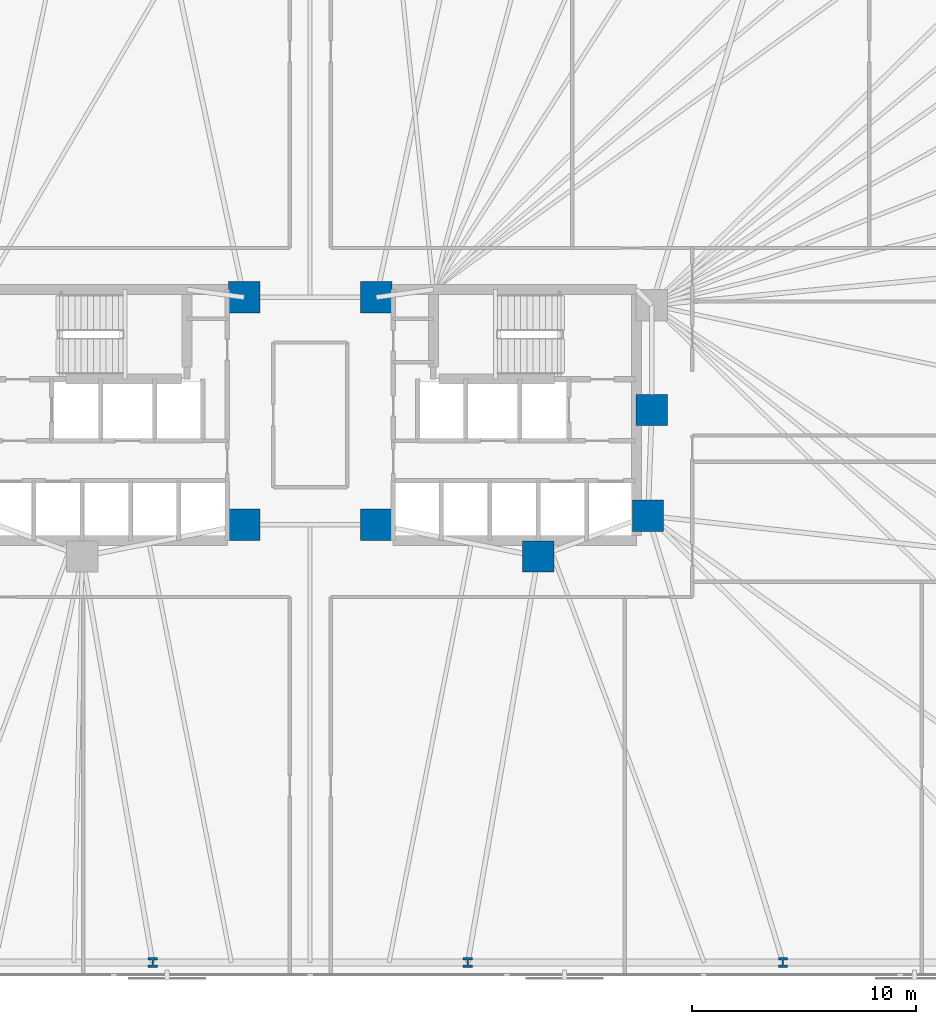
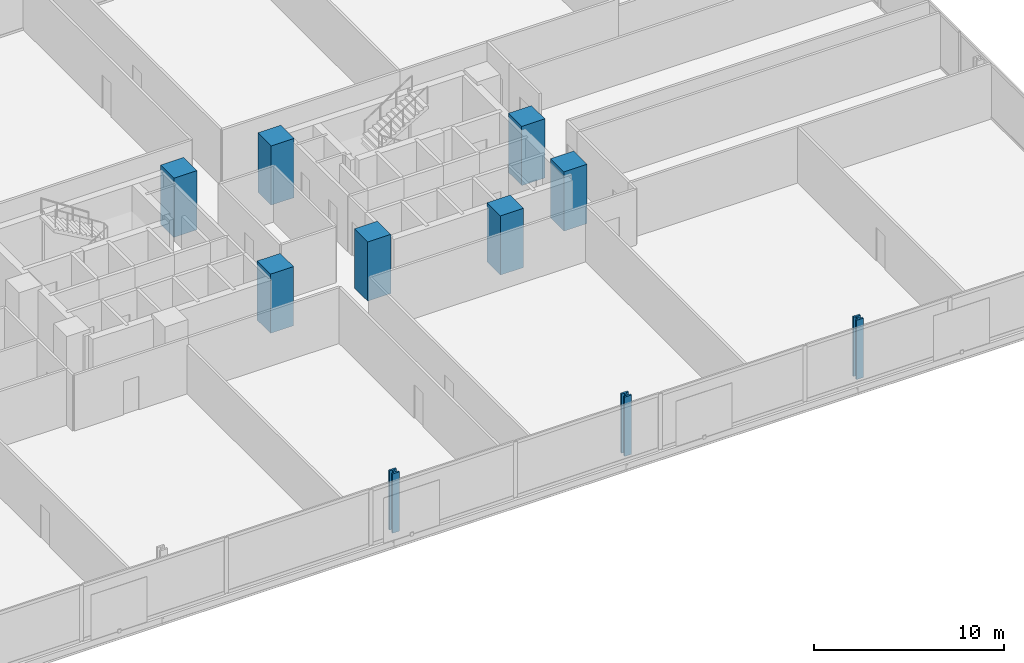
# One storey, part 3 of 17: 10 columns.
"""IFC4 building model written with IfcOpenShell, lengths in metres."""

from ifc_helpers import new_model, si_unit, direction, frame, origin, origin_2d, place, context, subcontext, project, spatial, rectangle, i_section, extrude, material, material_profile, profile_set, type_object, element, save


model = new_model("IFC4")

# Units and contexts
model_context = context("Model", 3, precision=1e-05, world=origin(), true_north=direction((0.0, 1.0)))
body_context = subcontext(model_context, "Body", "Model", "MODEL_VIEW")
ifc_project = project(units=[si_unit("LENGTHUNIT", "METRE"), si_unit("AREAUNIT", "SQUARE_METRE"), si_unit("VOLUMEUNIT", "CUBIC_METRE"), si_unit("PLANEANGLEUNIT", "RADIAN"), si_unit("MASSUNIT", "GRAM", prefix="KILO")], contexts=[model_context])

# Site, building, storey
site_placement = place(None, origin())
site = spatial("IfcSite", under=ifc_project, at=site_placement, CompositionType="ELEMENT")
building_placement = place(site_placement, origin())
building = spatial("IfcBuilding", under=site, at=building_placement, Name="Menara Jurai Vektor", CompositionType="ELEMENT")
storey_placement = place(building_placement, frame((0.0, 0.0, 71.199951171875)))
storey = spatial("IfcBuildingStorey", under=building, at=storey_placement, Name="L17", CompositionType="ELEMENT", Elevation=71.199951171875)

# Columns
ifc_material_1 = material(Name="Concrete C60/75", Category="concrete")
ifc_material_profile_1 = material_profile(ifc_material_1, rectangle(XDim=1.39990234375, YDim=1.39990234375, at=origin_2d()), Name="RC 1400x1400")
ifc_profile_set_1 = profile_set([ifc_material_profile_1], Name="Concrete C60/75")
column_type_1 = type_object("IfcColumnType", Name="STR-COL-RC1400", PredefinedType="COLUMN", material=ifc_profile_set_1)
for number, where, z_axis, x_axis, name in (
    (1, (-2.949951171875, -4.89990234375, 0.0), (0.0, 0.0, 1.0), (1.0, 0.0, 0.0), "Core Spine Column CW-SE L17"),
    (2, (-2.949951171875, 5.25, 0.0), (0.0, 0.0, 1.0), (1.0, 0.0, 0.0), "Core Spine Column CW-NE L17"),
    (3, (15.25, 0.219970703125, 0.0), (0.0, 0.0, 1.0), (1.0, 0.0, 0.0), "Core Spine Column CE-EM L17"),
    (4, (15.080078125, -4.5, 0.0), (0.0, 0.0, 1.0), (1.0, 0.0, 0.0), "Core Spine Column CE-SE L17"),
    (5, (10.179931640625, -6.320068359375, 0.0), (0.0, 0.0, 1.0), (1.0, 0.0, 0.0), "Core Spine Column CE-SM L17"),
    (6, (2.949951171875, -4.89990234375, 0.0), (0.0, 0.0, 1.0), (1.0, 0.0, 0.0), "Core Spine Column CE-SW L17"),
    (7, (2.949951171875, 5.25, 0.0), (0.0, 0.0, 1.0), (1.0, 0.0, 0.0), "Core Spine Column CE-NW L17"),
):
    element("IfcColumn", number, at=place(storey_placement, frame(where, z_axis=z_axis, x_axis=x_axis)), inside=storey, type_object=column_type_1, Name=name, PredefinedType="COLUMN", context=body_context, shape_type="SweptSolid", body=[
        extrude(rectangle(XDim=1.39990234375, YDim=1.39990234375, at=origin_2d()), origin(), (0.0, 0.0, 1.0), 3.800048828125),
    ])
ifc_material_2 = material(Name="Steel S460", Category="steel")
ifc_material_profile_2 = material_profile(ifc_material_2, i_section(OverallWidth=0.419921875, OverallDepth=0.430908203125, WebThickness=0.06494140625, FlangeThickness=0.10595703125, FilletRadius=0.014892578125, at=origin_2d()), Name="HD 400x900")
ifc_profile_set_2 = profile_set([ifc_material_profile_2], Name="Steel S460")
column_type_2 = type_object("IfcColumnType", Name="STR-EXO-BLK1", PredefinedType="COLUMN", material=ifc_profile_set_2)
for number, where, z_axis, x_axis, name in (
    (8, (-7.03564453125, -24.449951171875, 0.0), (0.0, 0.0, 1.0), (1.0, 0.0, 0.0), "Exoskeleton Column BLK1-S3 L17"),
    (9, (7.03564453125, -24.449951171875, 0.0), (0.0, 0.0, 1.0), (1.0, 0.0, 0.0), "Exoskeleton Column BLK1-S4 L17"),
    (10, (21.106689453125, -24.449951171875, 0.0), (0.0, 0.0, 1.0), (1.0, 0.0, 0.0), "Exoskeleton Column BLK1-S5 L17"),
):
    element("IfcColumn", number, at=place(storey_placement, frame(where, z_axis=z_axis, x_axis=x_axis)), inside=storey, type_object=column_type_2, Name=name, PredefinedType="COLUMN", context=body_context, shape_type="SweptSolid", body=[
        extrude(i_section(OverallWidth=0.419921875, OverallDepth=0.430908203125, WebThickness=0.06494140625, FlangeThickness=0.10595703125, FilletRadius=0.014892578125, at=origin_2d()), origin(), (0.0, 0.0, 1.0), 3.800048828125),
    ])

save(model, "model.ifc")
